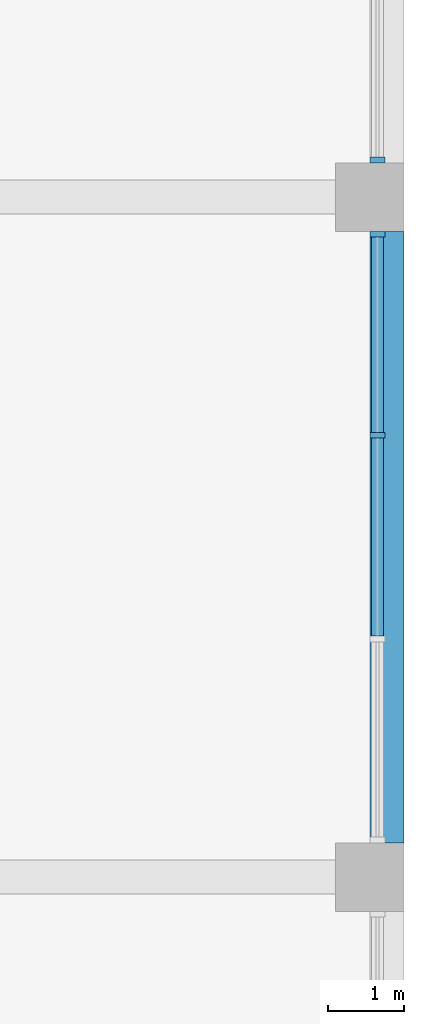
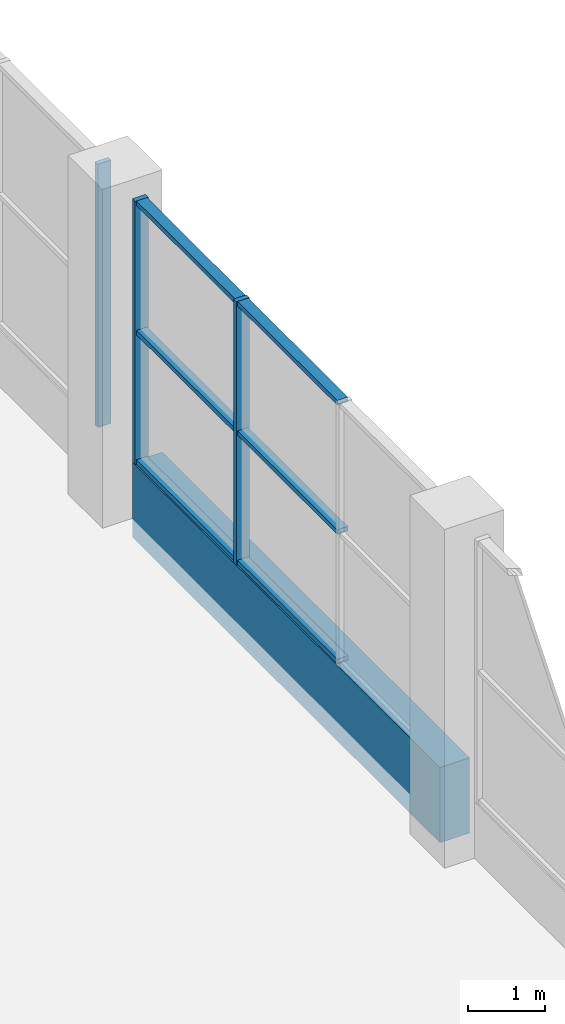
# One storey, part 5 of 15: 9 members, 1 beam, 2 elements without a shape of their own.
"""IFC4 building model written with IfcOpenShell, lengths in metres."""

import ifcopenshell
import ifcopenshell.guid

model = None  # the IFC model being written
_history = None  # IfcOwnerHistory: only IFC2X3 demands one
_inside = {}  # id of a spatial element -> (the spatial element, [elements in it])
_under = {}  # id of a project, library or spatial element -> (it, [spatial elements below it])
_declared = {}  # id of a project -> (the project, [libraries it declares])
_typed = {}  # id of a type object -> (the type object, [elements of that type])
_made_of = {}  # id of a material, layer set ... -> (it, [elements and type objects made of it])


def new_model(schema):
    """Start an empty IFC model of exactly this schema.

    Asked for "IFC4X3", IfcOpenShell would pick the latest addendum, in which some entities
    have other attributes; the version numbers below select the first issue.
    IFC2X3 requires an IfcOwnerHistory on every rooted entity: one is made here for all.
    """
    global model, _history
    if schema == "IFC4X3":
        model = ifcopenshell.file(schema_version=(4, 3, 0, 0))
    else:
        model = ifcopenshell.file(schema=schema)
    _inside.clear()
    _under.clear()
    _declared.clear()
    _typed.clear()
    _made_of.clear()
    _history = None
    if model.schema == "IFC2X3":
        org = make("IfcOrganization", Name="unknown")
        user = make(
            "IfcPersonAndOrganization",
            ThePerson=make("IfcPerson", FamilyName="unknown"),
            TheOrganization=org,
        )
        app = make(
            "IfcApplication",
            ApplicationDeveloper=org,
            Version="unknown",
            ApplicationFullName="unknown",
            ApplicationIdentifier="unknown",
        )
        _history = make(
            "IfcOwnerHistory",
            OwningUser=user,
            OwningApplication=app,
            ChangeAction="ADDED",
            CreationDate=0,
        )
    return model


def make(cls, **values):
    """One entity of the class cls with the attributes given. An attribute that is None is left unset."""
    return model.create_entity(
        cls, **{name: value for name, value in values.items() if value is not None}
    )


def rooted(cls, **values):
    """An entity with a GlobalId (a new one), such as an element, a storey or a relation."""
    return make(cls, GlobalId=ifcopenshell.guid.new(), OwnerHistory=_history, **values)


def si_unit(unit_type, name, prefix=None):
    """IfcSIUnit, for example si_unit("LENGTHUNIT", "METRE", prefix="MILLI")."""
    return make("IfcSIUnit", UnitType=unit_type, Prefix=prefix, Name=name)


def assignment(units):
    """IfcUnitAssignment: the units of a project."""
    return None if units is None else make("IfcUnitAssignment", Units=units)


def point(xyz):
    """IfcCartesianPoint."""
    return None if xyz is None else make("IfcCartesianPoint", Coordinates=xyz)


def direction(xyz):
    """IfcDirection."""
    return None if xyz is None else make("IfcDirection", DirectionRatios=xyz)


def frame(location, z_axis=None, x_axis=None):
    """IfcAxis2Placement3D, a coordinate frame: its origin and axes. An axis left out is left unset."""
    return make(
        "IfcAxis2Placement3D",
        Location=point(location),
        Axis=direction(z_axis),
        RefDirection=direction(x_axis),
    )


def frame_2d(location, x_axis=None):
    """IfcAxis2Placement2D, a coordinate frame in the plane: its origin and x axis."""
    return make(
        "IfcAxis2Placement2D", Location=point(location), RefDirection=direction(x_axis)
    )


def origin():
    """The frame at (0, 0, 0) with its axes left unset."""
    return frame((0.0, 0.0, 0.0))


def origin_2d():
    """The frame at (0, 0) in the plane with its x axis left unset."""
    return frame_2d((0.0, 0.0))


def place(relative_to, where):
    """IfcLocalPlacement: puts the frame where relative to a parent placement (None: the world)."""
    return make(
        "IfcLocalPlacement", PlacementRelTo=relative_to, RelativePlacement=where
    )


def context(
    kind, dimensions, precision=None, world=None, true_north=None, identifier=None
):
    """IfcGeometricRepresentationContext, for example the 3D "Model" context."""
    return make(
        "IfcGeometricRepresentationContext",
        ContextIdentifier=identifier,
        ContextType=kind,
        CoordinateSpaceDimension=dimensions,
        Precision=precision,
        WorldCoordinateSystem=world,
        TrueNorth=true_north,
    )


def subcontext(parent, identifier, kind, view, scale=None):
    """IfcGeometricRepresentationSubContext, for example "Body" below "Model"."""
    return make(
        "IfcGeometricRepresentationSubContext",
        ContextIdentifier=identifier,
        ContextType=kind,
        ParentContext=parent,
        TargetScale=scale,
        TargetView=view,
    )


def project(units=None, contexts=None):
    """IfcProject with its units and contexts."""
    return rooted(
        "IfcProject",
        Name="project",
        RepresentationContexts=contexts,
        UnitsInContext=assignment(units),
    )


def spatial(cls, under=None, at=None, **own):
    """A site, building, storey or space (cls), placed at a placement, below another one or the project."""
    s = rooted(cls, ObjectPlacement=at, **own)
    if under is not None:
        _under.setdefault(under.id(), (under, []))[1].append(s)
    return s


def profile(cls, at=None, kind="AREA", **sizes):
    """A parametric profile (cls). Its sizes go by their IFC names, for example OverallWidth=200.0."""
    return make(cls, ProfileType=kind, Position=at, **sizes)


def rectangle(**sizes):
    """IfcRectangleProfileDef."""
    return profile("IfcRectangleProfileDef", **sizes)


def extrude(swept, where, along, depth):
    """IfcExtrudedAreaSolid: the profile swept, set in the frame where, extruded along a direction by depth."""
    return make(
        "IfcExtrudedAreaSolid",
        SweptArea=swept,
        Position=where,
        ExtrudedDirection=direction(along),
        Depth=depth,
    )


def shape(context_of_items, identifier, shape_type, items):
    """IfcShapeRepresentation: the items that make up one representation, for example the "Body"."""
    return make(
        "IfcShapeRepresentation",
        ContextOfItems=context_of_items,
        RepresentationIdentifier=identifier,
        RepresentationType=shape_type,
        Items=items,
    )


def material(Name=None, Category=None):
    """IfcMaterial."""
    return make("IfcMaterial", Name=Name, Category=Category)


def material_profile(
    of_material, cross_section, Name=None, Category=None, Priority=None
):
    """IfcMaterialProfile: a cross section and its material."""
    return make(
        "IfcMaterialProfile",
        Name=Name,
        Material=of_material,
        Profile=cross_section,
        Priority=Priority,
        Category=Category,
    )


def profile_set(profiles, Name=None, composite=None):
    """IfcMaterialProfileSet."""
    return make(
        "IfcMaterialProfileSet",
        Name=Name,
        MaterialProfiles=profiles,
        CompositeProfile=composite,
    )


def made_of(thing, what):
    """Note that an element or type object is made of a material, layer set ...; save() writes the relation."""
    if what is not None:
        _made_of.setdefault(what.id(), (what, []))[1].append(thing)
    return thing


def type_object(cls, material=None, **own):
    """A type object (cls), such as IfcWallType, which elements share."""
    return made_of(rooted(cls, **own), material)


def element(
    cls,
    number,
    at=None,
    inside=None,
    cuts=None,
    type_object=None,
    material=None,
    context=None,
    identifier="Body",
    shape_type=None,
    held_by="IfcProductDefinitionShape",
    body=None,
    shapes=None,
    **own,
):
    """One element of the class cls, such as IfcWall. Its Tag is "e" and its number.

    at: its placement. inside: the storey or other place that contains it. cuts: it is an
    opening in that element (IfcRelVoidsElement). A single representation is given by context,
    identifier, shape_type and body (its items); several are given by shapes. held_by: the class
    of the entity that holds the representations. save() writes the other relations.
    """
    e = rooted(cls, Tag="e%d" % number, ObjectPlacement=at, **own)
    if body is not None:
        shapes = [shape(context, identifier, shape_type, body)]
    if shapes is not None:
        e.Representation = make(held_by, Representations=shapes)
    if inside is not None:
        _inside.setdefault(inside.id(), (inside, []))[1].append(e)
    if cuts is not None:
        rooted(
            "IfcRelVoidsElement", RelatingBuildingElement=cuts, RelatedOpeningElement=e
        )
    if type_object is not None:
        _typed.setdefault(type_object.id(), (type_object, []))[1].append(e)
    return made_of(e, material)


def aggregate(whole, parts):
    """IfcRelAggregates: a whole, such as a stair, and the parts it consists of."""
    return rooted("IfcRelAggregates", RelatingObject=whole, RelatedObjects=parts)


def save(model, path):
    """Write the relations noted so far, then the file.

    IfcRelAggregates (storeys below a building ...), IfcRelContainedInSpatialStructure (elements
    in a storey), IfcRelDefinesByType, IfcRelAssociatesMaterial and IfcRelDeclares: one each for
    every whole, place, type object, material and project.
    """
    for whole, parts in _under.values():
        aggregate(whole, parts)
    for where, things in _inside.values():
        rooted(
            "IfcRelContainedInSpatialStructure",
            RelatedElements=things,
            RelatingStructure=where,
        )
    for kind, things in _typed.values():
        rooted("IfcRelDefinesByType", RelatedObjects=things, RelatingType=kind)
    for what, things in _made_of.values():
        rooted("IfcRelAssociatesMaterial", RelatedObjects=things, RelatingMaterial=what)
    for by, libraries in _declared.values():
        rooted("IfcRelDeclares", RelatingContext=by, RelatedDefinitions=libraries)
    model.write(path)


model = new_model("IFC4")

# Units and contexts
model_context = context("Model", 3, precision=1e-05, world=origin(), true_north=direction((0.0, 1.0)))
body_context = subcontext(model_context, "Body", "Model", "MODEL_VIEW")
ifc_project = project(units=[si_unit("LENGTHUNIT", "METRE"), si_unit("AREAUNIT", "SQUARE_METRE"), si_unit("VOLUMEUNIT", "CUBIC_METRE"), si_unit("PLANEANGLEUNIT", "RADIAN"), si_unit("MASSUNIT", "GRAM", prefix="KILO")], contexts=[model_context])

# Site, building, storey
site_placement = place(None, origin())
site = spatial("IfcSite", under=ifc_project, at=site_placement, CompositionType="ELEMENT")
building_placement = place(site_placement, origin())
building = spatial("IfcBuilding", under=site, at=building_placement, Name="Msitu Wima Residences", CompositionType="ELEMENT")
storey_placement = place(building_placement, frame((0.0, 0.0, 314.699951171875)))
storey = spatial("IfcBuildingStorey", under=building, at=storey_placement, Name="L73", CompositionType="ELEMENT", Elevation=314.699951171875)

# Curtain wall, members
ifc_material_1 = material(Name="Anodised aluminium, bronze finish, solar control laminated double glazing", Category="aluminium")
curtain_wall_type = type_object("IfcCurtainWallType", Name="Curtain wall CW3 top lounge wall", PredefinedType="NOTDEFINED", material=ifc_material_1)
curtain_wall_1_placement = place(storey_placement, origin())
curtain_wall_1 = element("IfcCurtainWall", 1, at=curtain_wall_1_placement, inside=storey, type_object=curtain_wall_type, Name="Curtain wall CW3 L73 E1", PredefinedType="NOTDEFINED")
ifc_material_2 = material(Name="Anodised aluminium, bronze finish", Category="aluminium")
ifc_material_profile_1 = material_profile(ifc_material_2, rectangle(XDim=0.199951171875, YDim=0.074951171875, at=origin_2d()), Name="Mullion 75x200")
ifc_profile_set_1 = profile_set([ifc_material_profile_1], Name="Anodised aluminium, bronze finish")
member_type_1 = type_object("IfcMemberType", Name="Mullion CW3 75x200", PredefinedType="MULLION", material=ifc_profile_set_1)
member_1_placement = place(storey_placement, frame((26.5, 1.339599609375, 0.900146484375), z_axis=(0.0, 0.0, 1.0), x_axis=(-1.0, 0.0, 0.0)))
member_1 = element("IfcMember", 2, at=member_1_placement, type_object=member_type_1, Name="CW3 mullion 3", PredefinedType="MULLION", context=body_context, shape_type="SweptSolid", body=[
    extrude(rectangle(XDim=0.199951171875, YDim=0.074951171875, at=origin_2d()), origin(), (0.0, 0.0, 1.0), 4.199951171875),
])
member_2_placement = place(storey_placement, frame((26.5, 3.981201171875, 0.900146484375), z_axis=(0.0, 0.0, 1.0), x_axis=(-1.0, 0.0, 0.0)))
member_2 = element("IfcMember", 3, at=member_2_placement, type_object=member_type_1, Name="CW3 mullion 4", PredefinedType="MULLION", context=body_context, shape_type="SweptSolid", body=[
    extrude(rectangle(XDim=0.199951171875, YDim=0.074951171875, at=origin_2d()), origin(), (0.0, 0.0, 1.0), 4.199951171875),
])

# Curtain wall, member
curtain_wall_2_placement = place(storey_placement, origin())
curtain_wall_2 = element("IfcCurtainWall", 4, at=curtain_wall_2_placement, inside=storey, type_object=curtain_wall_type, Name="Curtain wall CW3 L73 E2", PredefinedType="NOTDEFINED")
member_3_placement = place(storey_placement, frame((26.5, 4.9560546875, 0.900146484375), z_axis=(0.0, 0.0, 1.0), x_axis=(-1.0, 0.0, 0.0)))
member_3 = element("IfcMember", 5, at=member_3_placement, type_object=member_type_1, Name="CW3 mullion 1", PredefinedType="MULLION", context=body_context, shape_type="SweptSolid", body=[
    extrude(rectangle(XDim=0.199951171875, YDim=0.074951171875, at=origin_2d()), origin(), (0.0, 0.0, 1.0), 4.199951171875),
])
aggregate(curtain_wall_2, [member_3])

# Beam
ifc_material_3 = material(Name="Concrete C50/60", Category="concrete")
ifc_material_profile_2 = material_profile(ifc_material_3, rectangle(XDim=0.449951171875, YDim=1.199951171875, at=origin_2d()), Name="RC 450x1200")
ifc_profile_set_2 = profile_set([ifc_material_profile_2], Name="Concrete C50/60")
beam_type = type_object("IfcBeamType", Name="Spandrel RC 450x1200 Concrete C50/60", PredefinedType="SPANDREL", material=ifc_profile_set_2)
beam_placement = place(storey_placement, frame((26.625, -4.0185546875, 0.300048828125), z_axis=(0.0, 1.0, 0.0), x_axis=(-1.0, 0.0, 0.0)))
element("IfcBeam", 6, at=beam_placement, inside=storey, type_object=beam_type, Name="Spandrel L73 E1", PredefinedType="SPANDREL", context=body_context, shape_type="SweptSolid", body=[
    extrude(rectangle(XDim=0.449951171875, YDim=1.199951171875, at=origin_2d()), origin(), (0.0, 0.0, 1.0), 8.037109375),
])

# Member
ifc_material_profile_3 = material_profile(ifc_material_2, rectangle(XDim=0.159912109375, YDim=0.074951171875, at=origin_2d()), Name="Transom 75x160")
ifc_profile_set_3 = profile_set([ifc_material_profile_3], Name="Anodised aluminium, bronze finish")
member_type_2 = type_object("IfcMemberType", Name="Transom CW3 75x160", PredefinedType="USERDEFINED", material=ifc_profile_set_3)
member_4_placement = place(storey_placement, frame((26.5, -1.302001953125, 0.9375), z_axis=(0.0, 1.0, 0.0), x_axis=(-1.0, 0.0, 0.0)))
member_4 = element("IfcMember", 7, at=member_4_placement, type_object=member_type_2, Name="CW3 transom 2.1", ObjectType="TRANSOM", PredefinedType="USERDEFINED", context=body_context, shape_type="SweptSolid", body=[
    extrude(rectangle(XDim=0.159912109375, YDim=0.074951171875, at=origin_2d()), origin(), (0.0, 0.0, 1.0), 2.60400390625),
])

member_5_placement = place(storey_placement, frame((26.5, -1.302001953125, 3.0), z_axis=(0.0, 1.0, 0.0), x_axis=(-1.0, 0.0, 0.0)))
member_5 = element("IfcMember", 8, at=member_5_placement, type_object=member_type_2, Name="CW3 transom 2.2", ObjectType="TRANSOM", PredefinedType="USERDEFINED", context=body_context, shape_type="SweptSolid", body=[
    extrude(rectangle(XDim=0.159912109375, YDim=0.074951171875, at=origin_2d()), origin(), (0.0, 0.0, 1.0), 2.60400390625),
])

member_6_placement = place(storey_placement, frame((26.5, -1.302001953125, 5.0625), z_axis=(0.0, 1.0, 0.0), x_axis=(-1.0, 0.0, 0.0)))
member_6 = element("IfcMember", 9, at=member_6_placement, type_object=member_type_2, Name="CW3 transom 2.3", ObjectType="TRANSOM", PredefinedType="USERDEFINED", context=body_context, shape_type="SweptSolid", body=[
    extrude(rectangle(XDim=0.159912109375, YDim=0.074951171875, at=origin_2d()), origin(), (0.0, 0.0, 1.0), 2.60400390625),
])

member_7_placement = place(storey_placement, frame((26.5, 1.376953125, 0.9375), z_axis=(0.0, 1.0, 0.0), x_axis=(-1.0, 0.0, 0.0)))
member_7 = element("IfcMember", 10, at=member_7_placement, type_object=member_type_2, Name="CW3 transom 3.1", ObjectType="TRANSOM", PredefinedType="USERDEFINED", context=body_context, shape_type="SweptSolid", body=[
    extrude(rectangle(XDim=0.159912109375, YDim=0.074951171875, at=origin_2d()), origin(), (0.0, 0.0, 1.0), 2.566650390625),
])

member_8_placement = place(storey_placement, frame((26.5, 1.376953125, 3.0), z_axis=(0.0, 1.0, 0.0), x_axis=(-1.0, 0.0, 0.0)))
member_8 = element("IfcMember", 11, at=member_8_placement, type_object=member_type_2, Name="CW3 transom 3.2", ObjectType="TRANSOM", PredefinedType="USERDEFINED", context=body_context, shape_type="SweptSolid", body=[
    extrude(rectangle(XDim=0.159912109375, YDim=0.074951171875, at=origin_2d()), origin(), (0.0, 0.0, 1.0), 2.566650390625),
])

member_9_placement = place(storey_placement, frame((26.5, 1.376953125, 5.0625), z_axis=(0.0, 1.0, 0.0), x_axis=(-1.0, 0.0, 0.0)))
member_9 = element("IfcMember", 12, at=member_9_placement, type_object=member_type_2, Name="CW3 transom 3.3", ObjectType="TRANSOM", PredefinedType="USERDEFINED", context=body_context, shape_type="SweptSolid", body=[
    extrude(rectangle(XDim=0.159912109375, YDim=0.074951171875, at=origin_2d()), origin(), (0.0, 0.0, 1.0), 2.566650390625),
])

aggregate(curtain_wall_1, [member_1, member_2, member_4, member_5, member_6, member_7, member_8, member_9])

save(model, "model.ifc")
